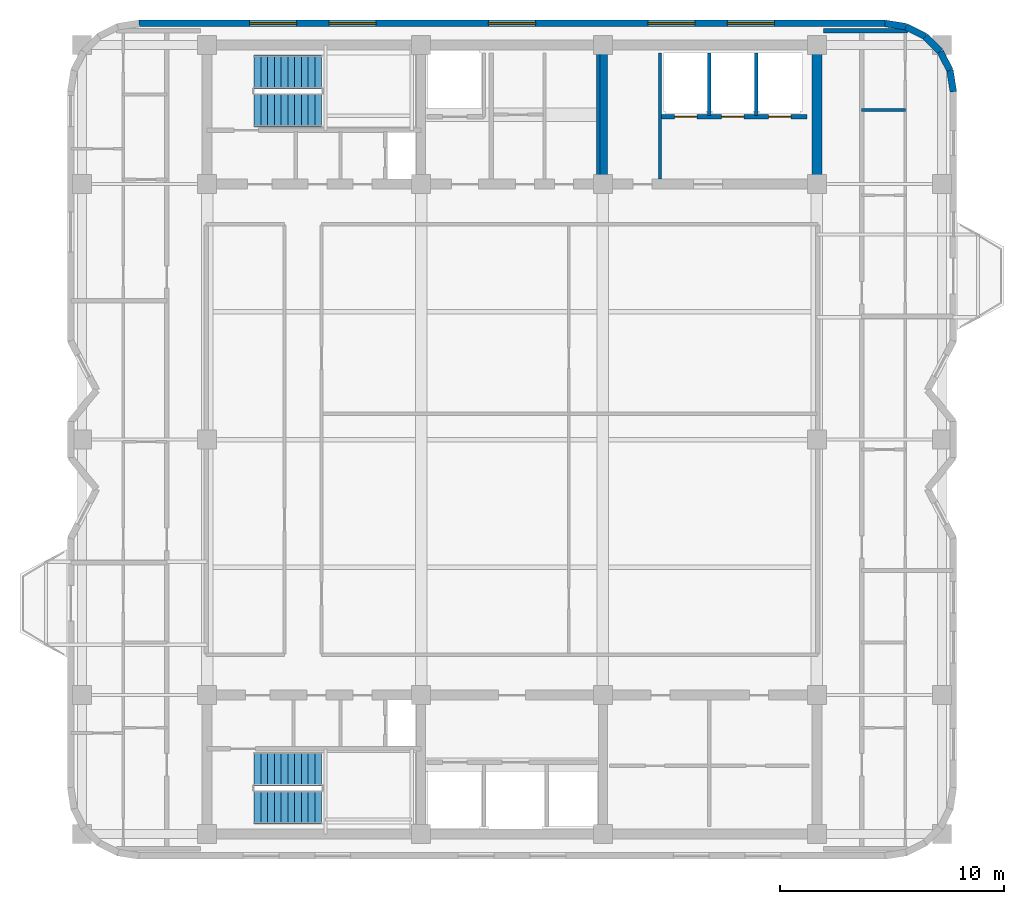
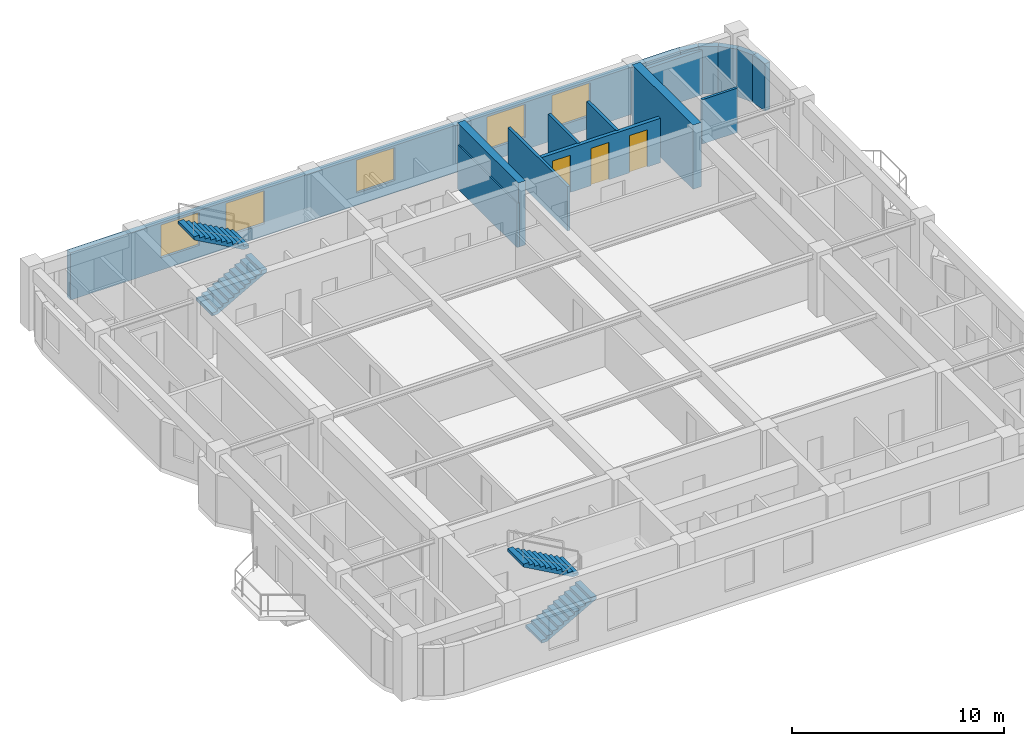
# One storey, part 7 of 9: 15 walls, 5 windows, 4 stair flights, 3 doors, 8 openings, 2 elements without a shape of their own.
"""IFC4 building model written with IfcOpenShell, lengths in metres."""

from ifc_helpers import new_model, si_unit, direction, frame, frame_2d, origin, place, context, subcontext, project, spatial, polyline, rectangle, outline, extrude, material, layer, layer_set, type_object, element, fill, aggregate, save


model = new_model("IFC4")

# Units and contexts
model_context = context("Model", 3, precision=1e-05, world=origin(), true_north=direction((0.0, 1.0)))
body_context = subcontext(model_context, "Body", "Model", "MODEL_VIEW")
ifc_project = project(units=[si_unit("LENGTHUNIT", "METRE"), si_unit("AREAUNIT", "SQUARE_METRE"), si_unit("VOLUMEUNIT", "CUBIC_METRE"), si_unit("PLANEANGLEUNIT", "RADIAN"), si_unit("MASSUNIT", "GRAM", prefix="KILO")], contexts=[model_context])

# Site, building, storey
site_placement = place(None, origin())
site = spatial("IfcSite", under=ifc_project, at=site_placement, CompositionType="ELEMENT")
building_placement = place(site_placement, origin())
building = spatial("IfcBuilding", under=site, at=building_placement, Name="Svetorya Sky Lyceum", CompositionType="ELEMENT")
storey_placement = place(building_placement, frame((0.0, 0.0, 244.300048828125)))
storey = spatial("IfcBuildingStorey", under=building, at=storey_placement, Name="L61", CompositionType="ELEMENT", Elevation=244.300048828125)

# Walls
ifc_material_1 = material(Name="Concrete C40/50", Category="concrete")
ifc_layer_1 = layer(ifc_material_1, 0.39990234375)
ifc_layer_set_1 = layer_set([ifc_layer_1], Name="Concrete C40/50")
wall_type_1 = type_object("IfcWallType", Name="WL-CORE-400", PredefinedType="SHEAR", material=ifc_layer_set_1)
wall_1_placement = place(storey_placement, frame((43.25, 39.824951171875, 0.0), z_axis=(0.0, 0.0, 1.0), x_axis=(0.0, 1.0, 0.0)))
element("IfcWall", 1, at=wall_1_placement, inside=storey, type_object=wall_type_1, Name="L61 NC Internal Shear Web WEB2", PredefinedType="SHEAR", context=body_context, shape_type="SweptSolid", body=[
    extrude(rectangle(XDim=5.75, YDim=0.39990234375, at=frame_2d((2.875, 0.0))), origin(), (0.0, 0.0, 1.0), 3.699951171875),
])
ifc_material_2 = material(Name="Concrete C50/60", Category="concrete")
ifc_layer_2 = layer(ifc_material_2, 0.449951171875)
ifc_layer_set_2 = layer_set([ifc_layer_2], Name="Concrete C50/60")
wall_type_2 = type_object("IfcWallType", Name="WL-CORE-450", PredefinedType="SHEAR", material=ifc_layer_set_2)
wall_2_placement = place(storey_placement, frame((52.800048828125, 39.824951171875, 0.0), z_axis=(0.0, 0.0, 1.0), x_axis=(0.0, 1.0, 0.0)))
element("IfcWall", 2, at=wall_2_placement, inside=storey, type_object=wall_type_2, Name="L61 NC East Core Shear Wall", PredefinedType="SHEAR", context=body_context, shape_type="SweptSolid", body=[
    extrude(rectangle(XDim=5.75, YDim=0.449951171875, at=frame_2d((2.875, 0.0))), origin(), (0.0, 0.0, 1.0), 3.699951171875),
])
ifc_material_3 = material(Name="Putilovo limestone rainscreen on autoclaved cellular masonry", Category="masonry")
ifc_layer_3 = layer(ifc_material_3, 0.300048828125)
ifc_layer_set_3 = layer_set([ifc_layer_3], Name="Putilovo limestone rainscreen on autoclaved cellular masonry")
wall_type_3 = type_object("IfcWallType", Name="WL-EXT-300", PredefinedType="SOLIDWALL", material=ifc_layer_set_3)
wall_3_placement = place(storey_placement, frame((58.889892578125, 43.719970703125, 0.0), z_axis=(0.0, 0.0, 1.0), x_axis=(-0.156304114255, 0.987708977314, 0.0)))
element("IfcWall", 3, at=wall_3_placement, inside=storey, type_object=wall_type_3, Name="L61 Limestone Exterior Wall 19M", PredefinedType="SOLIDWALL", context=body_context, shape_type="SweptSolid", body=[
    extrude(rectangle(XDim=0.954345703125, YDim=0.300048828125, at=frame_2d((0.47705078125, 0.0))), origin(), (0.0, 0.0, 1.0), 2.72998046875),
])
wall_4_placement = place(storey_placement, frame((58.74072265625, 44.66259765625, 0.0), z_axis=(0.0, 0.0, 1.0), x_axis=(-0.45395644796, 0.891023873617, 0.0)))
element("IfcWall", 4, at=wall_4_placement, inside=storey, type_object=wall_type_3, Name="L61 Limestone Exterior Wall 20M", PredefinedType="SOLIDWALL", context=body_context, shape_type="SweptSolid", body=[
    extrude(rectangle(XDim=0.9541015625, YDim=0.300048828125, at=frame_2d((0.47705078125, 0.0))), origin(), (0.0, 0.0, 1.0), 2.72998046875),
])
for number, where, z_axis, x_axis, name in (
    (5, (58.3076171875, 45.5126953125, 0.0), (0.0, 0.0, 1.0), (-0.707106781187, 0.707106781187, 0.0), "L61 Limestone Exterior Wall 21M"),
    (6, (57.6328125, 46.1875, 0.0), (0.0, 0.0, 1.0), (-0.891076589373, 0.453852962833, 0.0), "L61 Limestone Exterior Wall 22M"),
):
    element("IfcWall", number, at=place(storey_placement, frame(where, z_axis=z_axis, x_axis=x_axis)), inside=storey, type_object=wall_type_3, Name=name, PredefinedType="SOLIDWALL", context=body_context, shape_type="SweptSolid", body=[
        extrude(rectangle(XDim=0.954345703125, YDim=0.300048828125, at=frame_2d((0.47705078125, 0.0))), origin(), (0.0, 0.0, 1.0), 2.72998046875),
    ])
wall_5_placement = place(storey_placement, frame((56.782470703125, 46.62060546875, 0.0), z_axis=(0.0, 0.0, 1.0), x_axis=(-0.987663181641, 0.156593229835, 0.0)))
element("IfcWall", 7, at=wall_5_placement, inside=storey, type_object=wall_type_3, Name="L61 Limestone Exterior Wall 23M", PredefinedType="SOLIDWALL", context=body_context, shape_type="SweptSolid", body=[
    extrude(rectangle(XDim=0.9541015625, YDim=0.300048828125, at=frame_2d((0.47705078125, 0.0))), origin(), (0.0, 0.0, 1.0), 2.72998046875),
])

# Wall, openings, windows
wall_6_placement = place(storey_placement, frame((55.840087890625, 46.77001953125, 0.0), z_axis=(0.0, 0.0, 1.0), x_axis=(-1.0, 0.0, 0.0)))
wall_6 = element("IfcWall", 8, at=wall_6_placement, inside=storey, type_object=wall_type_3, Name="L61 Limestone Exterior Wall 24M", PredefinedType="SOLIDWALL", context=body_context, shape_type="SweptSolid", body=[
    extrude(rectangle(XDim=33.280029296875, YDim=0.300048828125, at=frame_2d((16.64013671875, 0.0))), origin(), (0.0, 0.0, 1.0), 2.72998046875),
])
opening_1_placement = place(wall_6_placement, frame((4.929931640625, 0.0, 0.7099609375)))
opening_1 = element("IfcOpeningElement", 9, at=opening_1_placement, cuts=wall_6, Name="Opening W-R0", PredefinedType="OPENING", context=body_context, shape_type="SweptSolid", body=[
    extrude(rectangle(XDim=2.10009765625, YDim=1.89990234375, at=frame_2d((1.050048828125, 0.949951171875))), frame((0.0, 0.159912109375, 0.0), z_axis=(0.0, -1.0, 0.0), x_axis=(1.0, 0.0, 0.0)), (0.0, 0.0, 1.0), 0.320068359375),
])
opening_2_placement = place(wall_6_placement, frame((8.4833984375, 0.0, 0.7099609375)))
opening_2 = element("IfcOpeningElement", 10, at=opening_2_placement, cuts=wall_6, Name="Opening W-R0", PredefinedType="OPENING", context=body_context, shape_type="SweptSolid", body=[
    extrude(rectangle(XDim=2.10009765625, YDim=1.89990234375, at=frame_2d((1.050048828125, 0.949951171875))), frame((0.0, 0.159912109375, 0.0), z_axis=(0.0, -1.0, 0.0), x_axis=(1.0, 0.0, 0.0)), (0.0, 0.0, 1.0), 0.320068359375),
])
opening_3_placement = place(wall_6_placement, frame((15.590087890625, 0.0, 0.7099609375)))
opening_3 = element("IfcOpeningElement", 11, at=opening_3_placement, cuts=wall_6, Name="Opening W-R0", PredefinedType="OPENING", context=body_context, shape_type="SweptSolid", body=[
    extrude(rectangle(XDim=2.10009765625, YDim=1.89990234375, at=frame_2d((1.050048828125, 0.949951171875))), frame((0.0, 0.159912109375, 0.0), z_axis=(0.0, -1.0, 0.0), x_axis=(1.0, 0.0, 0.0)), (0.0, 0.0, 1.0), 0.320068359375),
])
opening_4_placement = place(wall_6_placement, frame((22.69677734375, 0.0, 0.7099609375)))
opening_4 = element("IfcOpeningElement", 12, at=opening_4_placement, cuts=wall_6, Name="Opening W-R0", PredefinedType="OPENING", context=body_context, shape_type="SweptSolid", body=[
    extrude(rectangle(XDim=2.10009765625, YDim=1.89990234375, at=frame_2d((1.050048828125, 0.949951171875))), frame((0.0, 0.159912109375, 0.0), z_axis=(0.0, -1.0, 0.0), x_axis=(1.0, 0.0, 0.0)), (0.0, 0.0, 1.0), 0.320068359375),
])
opening_5_placement = place(wall_6_placement, frame((26.25, 0.0, 0.7099609375)))
opening_5 = element("IfcOpeningElement", 13, at=opening_5_placement, cuts=wall_6, Name="Opening W-R0", PredefinedType="OPENING", context=body_context, shape_type="SweptSolid", body=[
    extrude(rectangle(XDim=2.10009765625, YDim=1.89990234375, at=frame_2d((1.050048828125, 0.949951171875))), frame((0.0, 0.159912109375, 0.0), z_axis=(0.0, -1.0, 0.0), x_axis=(1.0, 0.0, 0.0)), (0.0, 0.0, 1.0), 0.320068359375),
])
ifc_material_4 = material(Name="Thermally broken aluminium frame with triple low-E glazing", Category="aluminium")
window_type = type_object("IfcWindowType", Name="WN-RES-210", PartitioningType="TRIPLE_PANEL_VERTICAL", PredefinedType="WINDOW", material=ifc_material_4)
window_1_placement = place(opening_1_placement, origin())
window_1 = element("IfcWindow", 14, at=window_1_placement, inside=storey, type_object=window_type, Name="L61 Facade Window W-R0.24M.1", OverallHeight=1.89990234375, OverallWidth=2.10009765625, PartitioningType="SINGLE_PANEL", PredefinedType="WINDOW", context=body_context, shape_type="SweptSolid", body=[
    extrude(rectangle(XDim=2.10009765625, YDim=1.89990234375, at=frame_2d((1.050048828125, 0.949951171875))), frame((0.0, 0.030029296875, 0.0), z_axis=(0.0, -1.0, 0.0), x_axis=(1.0, 0.0, 0.0)), (0.0, 0.0, 1.0), 0.06005859375),
])
fill(opening_1, window_1)
window_2_placement = place(opening_2_placement, origin())
window_2 = element("IfcWindow", 15, at=window_2_placement, inside=storey, type_object=window_type, Name="L61 Facade Window W-R0.24M.2", OverallHeight=1.89990234375, OverallWidth=2.10009765625, PartitioningType="SINGLE_PANEL", PredefinedType="WINDOW", context=body_context, shape_type="SweptSolid", body=[
    extrude(rectangle(XDim=2.10009765625, YDim=1.89990234375, at=frame_2d((1.050048828125, 0.949951171875))), frame((0.0, 0.030029296875, 0.0), z_axis=(0.0, -1.0, 0.0), x_axis=(1.0, 0.0, 0.0)), (0.0, 0.0, 1.0), 0.06005859375),
])
fill(opening_2, window_2)
window_3_placement = place(opening_3_placement, origin())
window_3 = element("IfcWindow", 16, at=window_3_placement, inside=storey, type_object=window_type, Name="L61 Facade Window W-R0.24M.3", OverallHeight=1.89990234375, OverallWidth=2.10009765625, PartitioningType="SINGLE_PANEL", PredefinedType="WINDOW", context=body_context, shape_type="SweptSolid", body=[
    extrude(rectangle(XDim=2.10009765625, YDim=1.89990234375, at=frame_2d((1.050048828125, 0.949951171875))), frame((0.0, 0.030029296875, 0.0), z_axis=(0.0, -1.0, 0.0), x_axis=(1.0, 0.0, 0.0)), (0.0, 0.0, 1.0), 0.06005859375),
])
fill(opening_3, window_3)
window_4_placement = place(opening_4_placement, origin())
window_4 = element("IfcWindow", 17, at=window_4_placement, inside=storey, type_object=window_type, Name="L61 Facade Window W-R0.24M.4", OverallHeight=1.89990234375, OverallWidth=2.10009765625, PartitioningType="SINGLE_PANEL", PredefinedType="WINDOW", context=body_context, shape_type="SweptSolid", body=[
    extrude(rectangle(XDim=2.10009765625, YDim=1.89990234375, at=frame_2d((1.050048828125, 0.949951171875))), frame((0.0, 0.030029296875, 0.0), z_axis=(0.0, -1.0, 0.0), x_axis=(1.0, 0.0, 0.0)), (0.0, 0.0, 1.0), 0.06005859375),
])
fill(opening_4, window_4)
window_5_placement = place(opening_5_placement, origin())
window_5 = element("IfcWindow", 18, at=window_5_placement, inside=storey, type_object=window_type, Name="L61 Facade Window W-R0.24M.5", OverallHeight=1.89990234375, OverallWidth=2.10009765625, PartitioningType="SINGLE_PANEL", PredefinedType="WINDOW", context=body_context, shape_type="SweptSolid", body=[
    extrude(rectangle(XDim=2.10009765625, YDim=1.89990234375, at=frame_2d((1.050048828125, 0.949951171875))), frame((0.0, 0.030029296875, 0.0), z_axis=(0.0, -1.0, 0.0), x_axis=(1.0, 0.0, 0.0)), (0.0, 0.0, 1.0), 0.06005859375),
])
fill(opening_5, window_5)

# Walls
ifc_material_5 = material(Name="Twin-stud galvanized framing with acoustic board", Category="gypsum")
ifc_layer_4 = layer(ifc_material_5, 0.135009765625)
ifc_layer_set_4 = layer_set([ifc_layer_4], Name="Twin-stud galvanized framing with acoustic board")
wall_type_4 = type_object("IfcWallType", Name="WL-PART-135", PredefinedType="PARTITIONING", material=ifc_layer_set_4)
wall_7_placement = place(storey_placement, frame((54.800048828125, 42.89990234375, 0.0), z_axis=(0.0, 0.0, 1.0), x_axis=(1.0, 0.0, 0.0)))
element("IfcWall", 19, at=wall_7_placement, inside=storey, type_object=wall_type_4, Name="L61 Interior Partition E3-WH2", PredefinedType="PARTITIONING", context=body_context, shape_type="SweptSolid", body=[
    extrude(rectangle(XDim=1.949951171875, YDim=0.135009765625, at=frame_2d((0.97509765625, 0.0))), origin(), (0.0, 0.0, 1.0), 2.56005859375),
])
ifc_material_6 = material(Name="Autoclaved cellular masonry blockwork with acoustic render", Category="masonry")
ifc_layer_5 = layer(ifc_material_6, 0.14990234375)
ifc_layer_set_5 = layer_set([ifc_layer_5], Name="Autoclaved cellular masonry blockwork with acoustic render")
wall_type_5 = type_object("IfcWallType", Name="WL-PART-150", PredefinedType="PARTITIONING", material=ifc_layer_set_5)
for number, where, z_axis, x_axis, name in (
    (20, (43.050048828125, 39.820068359375, 0.0), (0.0, 0.0, 1.0), (0.0, 1.0, 0.0), "L61 Interior Partition NC-FPM-END"),
    (21, (45.800048828125, 39.820068359375, 0.0), (0.0, 0.0, 1.0), (0.0, 1.0, 0.0), "L61 Interior Partition NC-PM3-FULL"),
):
    element("IfcWall", number, at=place(storey_placement, frame(where, z_axis=z_axis, x_axis=x_axis)), inside=storey, type_object=wall_type_5, Name=name, PredefinedType="PARTITIONING", context=body_context, shape_type="SweptSolid", body=[
        extrude(rectangle(XDim=5.6298828125, YDim=0.14990234375, at=frame_2d((2.81494140625, 0.0))), origin(), (0.0, 0.0, 1.0), 2.56005859375),
    ])
for number, where, z_axis, x_axis, name in (
    (22, (48.0, 42.64990234375, 0.0), (0.0, 0.0, 1.0), (0.0, 1.0, 0.0), "L61 Interior Partition NC-PH-D1"),
    (23, (50.10009765625, 42.64990234375, 0.0), (0.0, 0.0, 1.0), (0.0, 1.0, 0.0), "L61 Interior Partition NC-PH-D2"),
):
    element("IfcWall", number, at=place(storey_placement, frame(where, z_axis=z_axis, x_axis=x_axis)), inside=storey, type_object=wall_type_5, Name=name, PredefinedType="PARTITIONING", context=body_context, shape_type="SweptSolid", body=[
        extrude(rectangle(XDim=2.800048828125, YDim=0.14990234375, at=frame_2d((1.39990234375, 0.0))), origin(), (0.0, 0.0, 1.0), 2.56005859375),
    ])

# Wall, openings, doors
ifc_material_7 = material(Name="Autoclaved cellular masonry blockwork with gypsum plaster", Category="masonry")
ifc_layer_6 = layer(ifc_material_7, 0.199951171875)
ifc_layer_set_6 = layer_set([ifc_layer_6], Name="Autoclaved cellular masonry blockwork with gypsum plaster")
wall_type_6 = type_object("IfcWallType", Name="WL-PART-200", PredefinedType="PARTITIONING", material=ifc_layer_set_6)
wall_8_placement = place(storey_placement, frame((52.35009765625, 42.60009765625, 0.0), z_axis=(0.0, 0.0, 1.0), x_axis=(-1.0, 0.0, 0.0)))
wall_8 = element("IfcWall", 24, at=wall_8_placement, inside=storey, type_object=wall_type_6, Name="L61 Interior Partition NC-PHEW", PredefinedType="PARTITIONING", context=body_context, shape_type="SweptSolid", body=[
    extrude(rectangle(XDim=6.5, YDim=0.199951171875, at=frame_2d((3.25, 0.0))), origin(), (0.0, 0.0, 1.0), 2.56005859375),
])
opening_6_placement = place(wall_8_placement, frame((4.89990234375, 0.0, 0.0)))
opening_6 = element("IfcOpeningElement", 25, at=opening_6_placement, cuts=wall_8, Name="Opening LD-P1", PredefinedType="OPENING", context=body_context, shape_type="SweptSolid", body=[
    extrude(rectangle(XDim=1.0, YDim=2.14990234375, at=frame_2d((0.5, 1.074951171875))), frame((0.0, 0.10986328125, 0.0), z_axis=(0.0, -1.0, 0.0), x_axis=(1.0, 0.0, 0.0)), (0.0, 0.0, 1.0), 0.219970703125),
])
opening_7_placement = place(wall_8_placement, frame((2.800048828125, 0.0, 0.0)))
opening_7 = element("IfcOpeningElement", 26, at=opening_7_placement, cuts=wall_8, Name="Opening LD-P1", PredefinedType="OPENING", context=body_context, shape_type="SweptSolid", body=[
    extrude(rectangle(XDim=1.0, YDim=2.14990234375, at=frame_2d((0.5, 1.074951171875))), frame((0.0, 0.10986328125, 0.0), z_axis=(0.0, -1.0, 0.0), x_axis=(1.0, 0.0, 0.0)), (0.0, 0.0, 1.0), 0.219970703125),
])
opening_8_placement = place(wall_8_placement, frame((0.699951171875, 0.0, 0.0)))
opening_8 = element("IfcOpeningElement", 27, at=opening_8_placement, cuts=wall_8, Name="Opening LD-P1", PredefinedType="OPENING", context=body_context, shape_type="SweptSolid", body=[
    extrude(rectangle(XDim=1.0, YDim=2.14990234375, at=frame_2d((0.5, 1.074951171875))), frame((0.0, 0.10986328125, 0.0), z_axis=(0.0, -1.0, 0.0), x_axis=(1.0, 0.0, 0.0)), (0.0, 0.0, 1.0), 0.219970703125),
])
ifc_material_8 = material(Name="Champagne-anodized stainless passenger lift landing door")
door_type = type_object("IfcDoorType", Name="DR-LIFT-1000", OperationType="SLIDING_TO_LEFT", PredefinedType="DOOR", material=ifc_material_8)
door_1_placement = place(opening_6_placement, origin())
door_1 = element("IfcDoor", 28, at=door_1_placement, inside=storey, type_object=door_type, Name="L61 Passenger Lift PH1 Landing Door", OperationType="SLIDING_TO_LEFT", OverallHeight=2.14990234375, OverallWidth=1.0, PredefinedType="DOOR", context=body_context, shape_type="SweptSolid", body=[
    extrude(rectangle(XDim=1.0, YDim=2.14990234375, at=frame_2d((0.5, 1.074951171875))), frame((0.0, 0.02490234375, 0.0), z_axis=(0.0, -1.0, 0.0), x_axis=(1.0, 0.0, 0.0)), (0.0, 0.0, 1.0), 0.050048828125),
])
fill(opening_6, door_1)
door_2_placement = place(opening_7_placement, origin())
door_2 = element("IfcDoor", 29, at=door_2_placement, inside=storey, type_object=door_type, Name="L61 Passenger Lift PH2 Landing Door", OperationType="SLIDING_TO_LEFT", OverallHeight=2.14990234375, OverallWidth=1.0, PredefinedType="DOOR", context=body_context, shape_type="SweptSolid", body=[
    extrude(rectangle(XDim=1.0, YDim=2.14990234375, at=frame_2d((0.5, 1.074951171875))), frame((0.0, 0.02490234375, 0.0), z_axis=(0.0, -1.0, 0.0), x_axis=(1.0, 0.0, 0.0)), (0.0, 0.0, 1.0), 0.050048828125),
])
fill(opening_7, door_2)
door_3_placement = place(opening_8_placement, origin())
door_3 = element("IfcDoor", 30, at=door_3_placement, inside=storey, type_object=door_type, Name="L61 Passenger Lift PH3 Landing Door", OperationType="SLIDING_TO_LEFT", OverallHeight=2.14990234375, OverallWidth=1.0, PredefinedType="DOOR", context=body_context, shape_type="SweptSolid", body=[
    extrude(rectangle(XDim=1.0, YDim=2.14990234375, at=frame_2d((0.5, 1.074951171875))), frame((0.0, 0.02490234375, 0.0), z_axis=(0.0, -1.0, 0.0), x_axis=(1.0, 0.0, 0.0)), (0.0, 0.0, 1.0), 0.050048828125),
])
fill(opening_8, door_3)

# Wall
wall_9_placement = place(storey_placement, frame((53.10009765625, 46.449951171875, 0.0), z_axis=(0.0, 0.0, 1.0), x_axis=(1.0, 0.0, 0.0)))
element("IfcWall", 31, at=wall_9_placement, inside=storey, type_object=wall_type_6, Name="L61 Interior Partition E-CAP-N", PredefinedType="PARTITIONING", context=body_context, shape_type="SweptSolid", body=[
    extrude(rectangle(XDim=3.75390625, YDim=0.199951171875, at=frame_2d((1.876953125, 0.0))), origin(), (0.0, 0.0, 1.0), 2.56005859375),
])

# Stair, stair flights
stair_type_1 = type_object("IfcStairType", Name="STR-ST-N", PredefinedType="HALF_TURN_STAIR", material=ifc_material_1)
stair_1_placement = place(storey_placement, origin())
stair_1 = element("IfcStair", 32, at=stair_1_placement, inside=storey, type_object=stair_type_1, Name="L61 North Core Smoke-Free Exit Stair N3", PredefinedType="HALF_TURN_STAIR")
stair_flight_type_1 = type_object("IfcStairFlightType", Name="SFL-ST-N", PredefinedType="STRAIGHT", material=ifc_material_1)
stair_flight_1_placement = place(storey_placement, frame((27.699951171875, 42.89990234375, 0.0), z_axis=(0.0, 0.0, 1.0), x_axis=(1.0, 0.0, 0.0)))
stair_flight_1 = element("IfcStairFlight", 33, at=stair_flight_1_placement, type_object=stair_flight_type_1, Name="ST-N flight 1", NumberOfRisers=11, NumberOfTreads=10, PredefinedType="STRAIGHT", RiserHeight=0.168181818, TreadLength=0.3, context=body_context, shape_type="SweptSolid", body=[
    extrude(outline(polyline([(0.0, 0.0), (0.0, 0.168212890625), (0.300048828125, 0.168212890625), (0.300048828125, 0.33642578125), (0.60009765625, 0.33642578125), (0.60009765625, 0.504638671875), (0.89990234375, 0.504638671875), (0.89990234375, 0.672607421875), (1.199951171875, 0.672607421875), (1.199951171875, 0.8408203125), (1.5, 0.8408203125), (1.5, 1.009033203125), (1.800048828125, 1.009033203125), (1.800048828125, 1.17724609375), (2.10009765625, 1.17724609375), (2.10009765625, 1.345458984375), (2.39990234375, 1.345458984375), (2.39990234375, 1.513671875), (2.699951171875, 1.513671875), (2.699951171875, 1.681884765625), (3.0, 1.681884765625), (3.0, 1.85009765625), (3.0, 1.510009765625), (0.306640625, 0.0), (0.0, 0.0)])), frame((0.0, 0.75, 0.0), z_axis=(0.0, -1.0, 0.0), x_axis=(1.0, 0.0, 0.0)), (0.0, 0.0, 1.0), 1.5),
])
stair_flight_2_placement = place(storey_placement, frame((30.699951171875, 44.60009765625, 1.849853515625), z_axis=(0.0, 0.0, 1.0), x_axis=(-1.0, 0.0, 0.0)))
stair_flight_2 = element("IfcStairFlight", 34, at=stair_flight_2_placement, type_object=stair_flight_type_1, Name="ST-N flight 2", NumberOfRisers=11, NumberOfTreads=10, PredefinedType="STRAIGHT", RiserHeight=0.168181818, TreadLength=0.3, context=body_context, shape_type="SweptSolid", body=[
    extrude(outline(polyline([(0.0, 0.0), (0.0, 0.168212890625), (0.300048828125, 0.168212890625), (0.300048828125, 0.33642578125), (0.60009765625, 0.33642578125), (0.60009765625, 0.504638671875), (0.89990234375, 0.504638671875), (0.89990234375, 0.672607421875), (1.199951171875, 0.672607421875), (1.199951171875, 0.8408203125), (1.5, 0.8408203125), (1.5, 1.009033203125), (1.800048828125, 1.009033203125), (1.800048828125, 1.17724609375), (2.10009765625, 1.17724609375), (2.10009765625, 1.345458984375), (2.39990234375, 1.345458984375), (2.39990234375, 1.513671875), (2.699951171875, 1.513671875), (2.699951171875, 1.681884765625), (3.0, 1.681884765625), (3.0, 1.85009765625), (3.0, 1.510009765625), (0.306640625, 0.0), (0.0, 0.0)])), frame((0.0, 0.75, 0.0), z_axis=(0.0, -1.0, 0.0), x_axis=(1.0, 0.0, 0.0)), (0.0, 0.0, 1.0), 1.5),
])
aggregate(stair_1, [stair_flight_1, stair_flight_2])

stair_type_2 = type_object("IfcStairType", Name="STR-ST-S", PredefinedType="HALF_TURN_STAIR", material=ifc_material_1)
stair_2_placement = place(storey_placement, origin())
stair_2 = element("IfcStair", 35, at=stair_2_placement, inside=storey, type_object=stair_type_2, Name="L61 South Core Smoke-Free Exit Stair N2", PredefinedType="HALF_TURN_STAIR")
stair_flight_type_2 = type_object("IfcStairFlightType", Name="SFL-ST-S", PredefinedType="STRAIGHT", material=ifc_material_1)
stair_flight_3_placement = place(storey_placement, frame((27.699951171875, 11.800048828125, 0.0), z_axis=(0.0, 0.0, 1.0), x_axis=(1.0, 0.0, 0.0)))
stair_flight_3 = element("IfcStairFlight", 36, at=stair_flight_3_placement, type_object=stair_flight_type_2, Name="ST-S flight 1", NumberOfRisers=11, NumberOfTreads=10, PredefinedType="STRAIGHT", RiserHeight=0.168181818, TreadLength=0.3, context=body_context, shape_type="SweptSolid", body=[
    extrude(outline(polyline([(0.0, 0.0), (0.0, 0.168212890625), (0.300048828125, 0.168212890625), (0.300048828125, 0.33642578125), (0.60009765625, 0.33642578125), (0.60009765625, 0.504638671875), (0.89990234375, 0.504638671875), (0.89990234375, 0.672607421875), (1.199951171875, 0.672607421875), (1.199951171875, 0.8408203125), (1.5, 0.8408203125), (1.5, 1.009033203125), (1.800048828125, 1.009033203125), (1.800048828125, 1.17724609375), (2.10009765625, 1.17724609375), (2.10009765625, 1.345458984375), (2.39990234375, 1.345458984375), (2.39990234375, 1.513671875), (2.699951171875, 1.513671875), (2.699951171875, 1.681884765625), (3.0, 1.681884765625), (3.0, 1.85009765625), (3.0, 1.510009765625), (0.306640625, 0.0), (0.0, 0.0)])), frame((0.0, 0.75, 0.0), z_axis=(0.0, -1.0, 0.0), x_axis=(1.0, 0.0, 0.0)), (0.0, 0.0, 1.0), 1.5),
])
stair_flight_4_placement = place(storey_placement, frame((30.699951171875, 13.5, 1.849853515625), z_axis=(0.0, 0.0, 1.0), x_axis=(-1.0, 0.0, 0.0)))
stair_flight_4 = element("IfcStairFlight", 37, at=stair_flight_4_placement, type_object=stair_flight_type_2, Name="ST-S flight 2", NumberOfRisers=11, NumberOfTreads=10, PredefinedType="STRAIGHT", RiserHeight=0.168181818, TreadLength=0.3, context=body_context, shape_type="SweptSolid", body=[
    extrude(outline(polyline([(0.0, 0.0), (0.0, 0.168212890625), (0.300048828125, 0.168212890625), (0.300048828125, 0.33642578125), (0.60009765625, 0.33642578125), (0.60009765625, 0.504638671875), (0.89990234375, 0.504638671875), (0.89990234375, 0.672607421875), (1.199951171875, 0.672607421875), (1.199951171875, 0.8408203125), (1.5, 0.8408203125), (1.5, 1.009033203125), (1.800048828125, 1.009033203125), (1.800048828125, 1.17724609375), (2.10009765625, 1.17724609375), (2.10009765625, 1.345458984375), (2.39990234375, 1.345458984375), (2.39990234375, 1.513671875), (2.699951171875, 1.513671875), (2.699951171875, 1.681884765625), (3.0, 1.681884765625), (3.0, 1.85009765625), (3.0, 1.510009765625), (0.306640625, 0.0), (0.0, 0.0)])), frame((0.0, 0.75, 0.0), z_axis=(0.0, -1.0, 0.0), x_axis=(1.0, 0.0, 0.0)), (0.0, 0.0, 1.0), 1.5),
])
aggregate(stair_2, [stair_flight_3, stair_flight_4])

save(model, "model.ifc")
